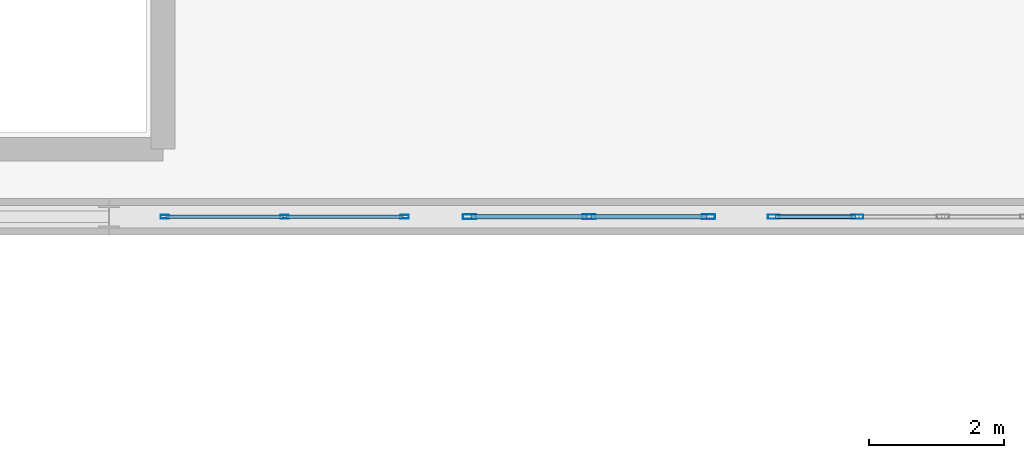
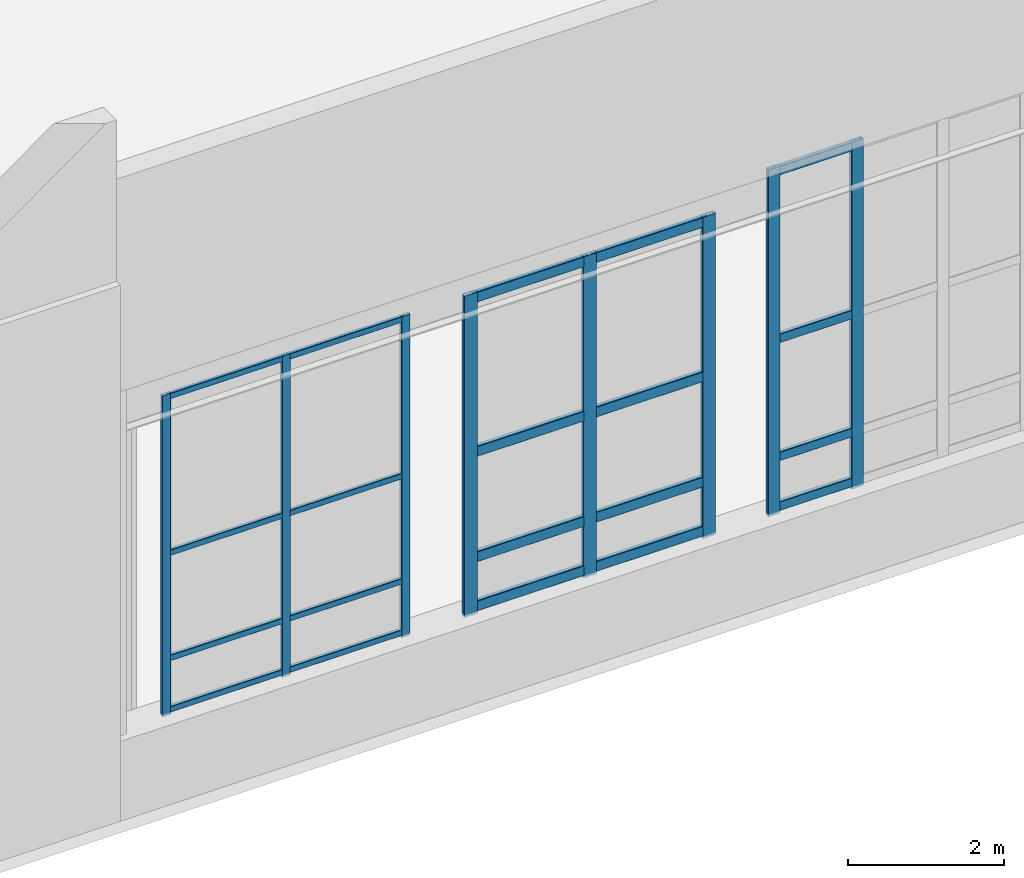
# One storey, part 18 of 97: 28 members, 3 elements without a shape of their own.
"""IFC4 building model written with IfcOpenShell, lengths in metres."""

from ifc_helpers import new_model, si_unit, derived_unit, direction, frame, origin, origin_2d, place, context, subcontext, project, spatial, hollow_rectangle, extrude, material, layer, layer_set, material_profile, profile_set, type_object, element, aggregate, save


model = new_model("IFC4")

# Units and contexts
model_context = context("Model", 3, precision=1e-05, world=origin(), true_north=direction((0.0, 1.0)))
body_context = subcontext(model_context, "Body", "Model", "MODEL_VIEW")
ifc_project = project(units=[si_unit("LENGTHUNIT", "METRE"), si_unit("AREAUNIT", "SQUARE_METRE"), si_unit("VOLUMEUNIT", "CUBIC_METRE"), si_unit("PLANEANGLEUNIT", "RADIAN"), si_unit("MASSUNIT", "GRAM", prefix="KILO"), derived_unit("THERMALTRANSMITTANCEUNIT", [(si_unit("POWERUNIT", "WATT"), 1), (si_unit("LENGTHUNIT", "METRE"), -2), (si_unit("THERMODYNAMICTEMPERATUREUNIT", "KELVIN"), -1)])], contexts=[model_context])

# Site, building, storey
site_placement = place(None, origin())
site = spatial("IfcSite", under=ifc_project, at=site_placement, CompositionType="ELEMENT")
building_placement = place(site_placement, origin())
building = spatial("IfcBuilding", under=site, at=building_placement, Name="Almenara Railside Exhibition Hall", CompositionType="ELEMENT")
storey_placement = place(building_placement, frame((0.0, 0.0, 10.800048828125)))
storey = spatial("IfcBuildingStorey", under=building, at=storey_placement, Name="L02", CompositionType="ELEMENT", Elevation=10.800048828125)

# Curtain wall, members
ifc_material_1 = material(Name="Bronze-anodised aluminium and low-E double glazing", Category="aluminium")
ifc_layer_1 = layer(ifc_material_1, 0.179931640625, Name="Bronze-anodised aluminium and low-E double glazing")
ifc_layer_set_1 = layer_set([ifc_layer_1], Name="Bronze-anodised aluminium and low-E double glazing")
curtain_wall_type_1 = type_object("IfcCurtainWallType", Name="Scroll Gable Standard Curtain Wall 3600x5000", PredefinedType="NOTDEFINED", material=ifc_layer_set_1)
curtain_wall_1_placement = place(storey_placement, origin())
curtain_wall_1 = element("IfcCurtainWall", 1, at=curtain_wall_1_placement, inside=storey, type_object=curtain_wall_type_1, Name="Curtain wall CW-G2-031", PredefinedType="NOTDEFINED")
ifc_material_2 = material(Name="Bronze-anodised aluminium", Category="aluminium")
ifc_material_profile_1 = material_profile(ifc_material_2, hollow_rectangle(XDim=0.054931640625, YDim=0.125, WallThickness=0.0029296875, InnerFilletRadius=0.0029296875, OuterFilletRadius=0.006103515625, at=origin_2d()), Name="ALU-MUL 55x125x3")
ifc_profile_set_1 = profile_set([ifc_material_profile_1], Name="Bronze-anodised aluminium")
member_type_1 = type_object("IfcMemberType", Name="Curtain Wall Mullion 55x125x3", PredefinedType="MULLION", material=ifc_profile_set_1)
member_1_placement = place(storey_placement, frame((23.2275390625, 48.0, 1.21484375), z_axis=(0.0, 0.0, 1.0), x_axis=(0.0, 1.0, 0.0)))
member_1 = element("IfcMember", 2, at=member_1_placement, type_object=member_type_1, Name="CW-G2-031 mullion 1", PredefinedType="MULLION", context=body_context, shape_type="SweptSolid", body=[
    extrude(hollow_rectangle(XDim=0.054931640625, YDim=0.125, WallThickness=0.0029296875, InnerFilletRadius=0.0029296875, OuterFilletRadius=0.006103515625, at=origin_2d()), origin(), (0.0, 0.0, 1.0), 5.03515625),
])
member_2_placement = place(storey_placement, frame((25.0, 48.0, 1.21484375), z_axis=(0.0, 0.0, 1.0), x_axis=(0.0, 1.0, 0.0)))
member_2 = element("IfcMember", 3, at=member_2_placement, type_object=member_type_1, Name="CW-G2-031 mullion 2", PredefinedType="MULLION", context=body_context, shape_type="SweptSolid", body=[
    extrude(hollow_rectangle(XDim=0.054931640625, YDim=0.125, WallThickness=0.0029296875, InnerFilletRadius=0.0029296875, OuterFilletRadius=0.006103515625, at=origin_2d()), origin(), (0.0, 0.0, 1.0), 5.03515625),
])
member_3_placement = place(storey_placement, frame((26.7724609375, 48.0, 1.21484375), z_axis=(0.0, 0.0, 1.0), x_axis=(0.0, 1.0, 0.0)))
member_3 = element("IfcMember", 4, at=member_3_placement, type_object=member_type_1, Name="CW-G2-031 mullion 3", PredefinedType="MULLION", context=body_context, shape_type="SweptSolid", body=[
    extrude(hollow_rectangle(XDim=0.054931640625, YDim=0.125, WallThickness=0.0029296875, InnerFilletRadius=0.0029296875, OuterFilletRadius=0.006103515625, at=origin_2d()), origin(), (0.0, 0.0, 1.0), 5.03515625),
])

ifc_layer_2 = layer(ifc_material_1, 0.179931640625, Name="Bronze-anodised aluminium and low-E double glazing")
ifc_layer_set_2 = layer_set([ifc_layer_2], Name="Bronze-anodised aluminium and low-E double glazing")
curtain_wall_type_2 = type_object("IfcCurtainWallType", Name="Scroll Gable Tall Curtain Wall 3800x5400", PredefinedType="NOTDEFINED", material=ifc_layer_set_2)
curtain_wall_2_placement = place(storey_placement, origin())
curtain_wall_2 = element("IfcCurtainWall", 5, at=curtain_wall_2_placement, inside=storey, type_object=curtain_wall_type_2, Name="Curtain wall CW-G1-033", PredefinedType="NOTDEFINED")
ifc_material_profile_2 = material_profile(ifc_material_2, hollow_rectangle(XDim=0.06494140625, YDim=0.179931640625, WallThickness=0.00390625, InnerFilletRadius=0.00390625, OuterFilletRadius=0.008056640625, at=origin_2d()), Name="ALU-MUL 65x180x4")
ifc_profile_set_2 = profile_set([ifc_material_profile_2], Name="Bronze-anodised aluminium")
member_type_2 = type_object("IfcMemberType", Name="Curtain Wall Mullion 65x180x4", PredefinedType="MULLION", material=ifc_profile_set_2)
member_4_placement = place(storey_placement, frame((32.232421875, 48.0, 1.21484375), z_axis=(0.0, 0.0, 1.0), x_axis=(0.0, 1.0, 0.0)))
member_4 = element("IfcMember", 6, at=member_4_placement, type_object=member_type_2, Name="CW-G1-033 mullion 1", PredefinedType="MULLION", context=body_context, shape_type="SweptSolid", body=[
    extrude(hollow_rectangle(XDim=0.06494140625, YDim=0.179931640625, WallThickness=0.00390625, InnerFilletRadius=0.00390625, OuterFilletRadius=0.008056640625, at=origin_2d()), origin(), (0.0, 0.0, 1.0), 5.43505859375),
])
member_5_placement = place(storey_placement, frame((33.466552734375, 48.0, 1.21484375), z_axis=(0.0, 0.0, 1.0), x_axis=(0.0, 1.0, 0.0)))
member_5 = element("IfcMember", 7, at=member_5_placement, type_object=member_type_2, Name="CW-G1-033 mullion 2", PredefinedType="MULLION", context=body_context, shape_type="SweptSolid", body=[
    extrude(hollow_rectangle(XDim=0.06494140625, YDim=0.179931640625, WallThickness=0.00390625, InnerFilletRadius=0.00390625, OuterFilletRadius=0.008056640625, at=origin_2d()), origin(), (0.0, 0.0, 1.0), 5.43505859375),
])

curtain_wall_3_placement = place(storey_placement, origin())
curtain_wall_3 = element("IfcCurtainWall", 8, at=curtain_wall_3_placement, inside=storey, type_object=curtain_wall_type_1, Name="Curtain wall CW-G2-032", PredefinedType="NOTDEFINED")
ifc_material_profile_3 = material_profile(ifc_material_2, hollow_rectangle(XDim=0.070068359375, YDim=0.199951171875, WallThickness=0.00439453125, InnerFilletRadius=0.00439453125, OuterFilletRadius=0.009033203125, at=origin_2d()), Name="ALU-MUL 70x200x4.5")
ifc_profile_set_3 = profile_set([ifc_material_profile_3], Name="Bronze-anodised aluminium")
member_type_3 = type_object("IfcMemberType", Name="Curtain Wall Mullion 70x200x4.5", PredefinedType="MULLION", material=ifc_profile_set_3)
member_6_placement = place(storey_placement, frame((27.735107421875, 48.0, 1.21484375), z_axis=(0.0, 0.0, 1.0), x_axis=(0.0, 1.0, 0.0)))
member_6 = element("IfcMember", 9, at=member_6_placement, type_object=member_type_3, Name="CW-G2-032 mullion 1", PredefinedType="MULLION", context=body_context, shape_type="SweptSolid", body=[
    extrude(hollow_rectangle(XDim=0.070068359375, YDim=0.199951171875, WallThickness=0.00439453125, InnerFilletRadius=0.00439453125, OuterFilletRadius=0.009033203125, at=origin_2d()), origin(), (0.0, 0.0, 1.0), 5.03515625),
])
member_7_placement = place(storey_placement, frame((29.5, 48.0, 1.21484375), z_axis=(0.0, 0.0, 1.0), x_axis=(0.0, 1.0, 0.0)))
member_7 = element("IfcMember", 10, at=member_7_placement, type_object=member_type_3, Name="CW-G2-032 mullion 2", PredefinedType="MULLION", context=body_context, shape_type="SweptSolid", body=[
    extrude(hollow_rectangle(XDim=0.070068359375, YDim=0.199951171875, WallThickness=0.00439453125, InnerFilletRadius=0.00439453125, OuterFilletRadius=0.009033203125, at=origin_2d()), origin(), (0.0, 0.0, 1.0), 5.03515625),
])
member_8_placement = place(storey_placement, frame((31.264892578125, 48.0, 1.21484375), z_axis=(0.0, 0.0, 1.0), x_axis=(0.0, 1.0, 0.0)))
member_8 = element("IfcMember", 11, at=member_8_placement, type_object=member_type_3, Name="CW-G2-032 mullion 3", PredefinedType="MULLION", context=body_context, shape_type="SweptSolid", body=[
    extrude(hollow_rectangle(XDim=0.070068359375, YDim=0.199951171875, WallThickness=0.00439453125, InnerFilletRadius=0.00439453125, OuterFilletRadius=0.009033203125, at=origin_2d()), origin(), (0.0, 0.0, 1.0), 5.03515625),
])

# Member
ifc_material_profile_4 = material_profile(ifc_material_2, hollow_rectangle(XDim=0.054931640625, YDim=0.090087890625, WallThickness=0.0029296875, InnerFilletRadius=0.0029296875, OuterFilletRadius=0.006103515625, at=origin_2d()), Name="ALU-TRN 55x90x3")
ifc_profile_set_4 = profile_set([ifc_material_profile_4], Name="Bronze-anodised aluminium")
member_type_4 = type_object("IfcMemberType", Name="Curtain Wall Transom 55x90x3", PredefinedType="USERDEFINED", material=ifc_profile_set_4)
member_9_placement = place(storey_placement, frame((23.2470703125, 48.0, 1.294921875), z_axis=(1.0, 0.0, 0.0), x_axis=(0.0, 1.0, 0.0)))
member_9 = element("IfcMember", 12, at=member_9_placement, type_object=member_type_4, Name="CW-G2-031 transom 1.1", ObjectType="TRANSOM", PredefinedType="USERDEFINED", context=body_context, shape_type="SweptSolid", body=[
    extrude(hollow_rectangle(XDim=0.054931640625, YDim=0.090087890625, WallThickness=0.0029296875, InnerFilletRadius=0.0029296875, OuterFilletRadius=0.006103515625, at=origin_2d()), origin(), (0.0, 0.0, 1.0), 1.7333984375),
])

member_10_placement = place(storey_placement, frame((23.2470703125, 48.0, 2.099853515625), z_axis=(1.0, 0.0, 0.0), x_axis=(0.0, 1.0, 0.0)))
member_10 = element("IfcMember", 13, at=member_10_placement, type_object=member_type_4, Name="CW-G2-031 transom 1.2", ObjectType="TRANSOM", PredefinedType="USERDEFINED", context=body_context, shape_type="SweptSolid", body=[
    extrude(hollow_rectangle(XDim=0.054931640625, YDim=0.090087890625, WallThickness=0.0029296875, InnerFilletRadius=0.0029296875, OuterFilletRadius=0.006103515625, at=origin_2d()), origin(), (0.0, 0.0, 1.0), 1.7333984375),
])

member_11_placement = place(storey_placement, frame((23.2470703125, 48.0, 3.75), z_axis=(1.0, 0.0, 0.0), x_axis=(0.0, 1.0, 0.0)))
member_11 = element("IfcMember", 14, at=member_11_placement, type_object=member_type_4, Name="CW-G2-031 transom 1.3", ObjectType="TRANSOM", PredefinedType="USERDEFINED", context=body_context, shape_type="SweptSolid", body=[
    extrude(hollow_rectangle(XDim=0.054931640625, YDim=0.090087890625, WallThickness=0.0029296875, InnerFilletRadius=0.0029296875, OuterFilletRadius=0.006103515625, at=origin_2d()), origin(), (0.0, 0.0, 1.0), 1.7333984375),
])

member_12_placement = place(storey_placement, frame((23.2470703125, 48.0, 6.204833984375), z_axis=(1.0, 0.0, 0.0), x_axis=(0.0, 1.0, 0.0)))
member_12 = element("IfcMember", 15, at=member_12_placement, type_object=member_type_4, Name="CW-G2-031 transom 1.4", ObjectType="TRANSOM", PredefinedType="USERDEFINED", context=body_context, shape_type="SweptSolid", body=[
    extrude(hollow_rectangle(XDim=0.054931640625, YDim=0.090087890625, WallThickness=0.0029296875, InnerFilletRadius=0.0029296875, OuterFilletRadius=0.006103515625, at=origin_2d()), origin(), (0.0, 0.0, 1.0), 1.7333984375),
])

member_13_placement = place(storey_placement, frame((25.01953125, 48.0, 1.294921875), z_axis=(1.0, 0.0, 0.0), x_axis=(0.0, 1.0, 0.0)))
member_13 = element("IfcMember", 16, at=member_13_placement, type_object=member_type_4, Name="CW-G2-031 transom 2.1", ObjectType="TRANSOM", PredefinedType="USERDEFINED", context=body_context, shape_type="SweptSolid", body=[
    extrude(hollow_rectangle(XDim=0.054931640625, YDim=0.090087890625, WallThickness=0.0029296875, InnerFilletRadius=0.0029296875, OuterFilletRadius=0.006103515625, at=origin_2d()), origin(), (0.0, 0.0, 1.0), 1.7333984375),
])

member_14_placement = place(storey_placement, frame((25.01953125, 48.0, 2.099853515625), z_axis=(1.0, 0.0, 0.0), x_axis=(0.0, 1.0, 0.0)))
member_14 = element("IfcMember", 17, at=member_14_placement, type_object=member_type_4, Name="CW-G2-031 transom 2.2", ObjectType="TRANSOM", PredefinedType="USERDEFINED", context=body_context, shape_type="SweptSolid", body=[
    extrude(hollow_rectangle(XDim=0.054931640625, YDim=0.090087890625, WallThickness=0.0029296875, InnerFilletRadius=0.0029296875, OuterFilletRadius=0.006103515625, at=origin_2d()), origin(), (0.0, 0.0, 1.0), 1.7333984375),
])

member_15_placement = place(storey_placement, frame((25.01953125, 48.0, 3.75), z_axis=(1.0, 0.0, 0.0), x_axis=(0.0, 1.0, 0.0)))
member_15 = element("IfcMember", 18, at=member_15_placement, type_object=member_type_4, Name="CW-G2-031 transom 2.3", ObjectType="TRANSOM", PredefinedType="USERDEFINED", context=body_context, shape_type="SweptSolid", body=[
    extrude(hollow_rectangle(XDim=0.054931640625, YDim=0.090087890625, WallThickness=0.0029296875, InnerFilletRadius=0.0029296875, OuterFilletRadius=0.006103515625, at=origin_2d()), origin(), (0.0, 0.0, 1.0), 1.7333984375),
])

member_16_placement = place(storey_placement, frame((25.01953125, 48.0, 6.204833984375), z_axis=(1.0, 0.0, 0.0), x_axis=(0.0, 1.0, 0.0)))
member_16 = element("IfcMember", 19, at=member_16_placement, type_object=member_type_4, Name="CW-G2-031 transom 2.4", ObjectType="TRANSOM", PredefinedType="USERDEFINED", context=body_context, shape_type="SweptSolid", body=[
    extrude(hollow_rectangle(XDim=0.054931640625, YDim=0.090087890625, WallThickness=0.0029296875, InnerFilletRadius=0.0029296875, OuterFilletRadius=0.006103515625, at=origin_2d()), origin(), (0.0, 0.0, 1.0), 1.7333984375),
])

aggregate(curtain_wall_1, [member_1, member_2, member_3, member_9, member_10, member_11, member_12, member_13, member_14, member_15, member_16])

ifc_material_profile_5 = material_profile(ifc_material_2, hollow_rectangle(XDim=0.06494140625, YDim=0.139892578125, WallThickness=0.00341796875, InnerFilletRadius=0.00341796875, OuterFilletRadius=0.007080078125, at=origin_2d()), Name="ALU-TRN 65x140x3.5")
ifc_profile_set_5 = profile_set([ifc_material_profile_5], Name="Bronze-anodised aluminium")
member_type_5 = type_object("IfcMemberType", Name="Curtain Wall Transom 65x140x3.5", PredefinedType="USERDEFINED", material=ifc_profile_set_5)
member_17_placement = place(storey_placement, frame((32.257080078125, 48.0, 1.320068359375), z_axis=(1.0, 0.0, 0.0), x_axis=(0.0, 1.0, 0.0)))
member_17 = element("IfcMember", 20, at=member_17_placement, type_object=member_type_5, Name="CW-G1-033 transom 1.1", ObjectType="TRANSOM", PredefinedType="USERDEFINED", context=body_context, shape_type="SweptSolid", body=[
    extrude(hollow_rectangle(XDim=0.06494140625, YDim=0.139892578125, WallThickness=0.00341796875, InnerFilletRadius=0.00341796875, OuterFilletRadius=0.007080078125, at=origin_2d()), origin(), (0.0, 0.0, 1.0), 1.18505859375),
])

member_18_placement = place(storey_placement, frame((32.257080078125, 48.0, 2.099853515625), z_axis=(1.0, 0.0, 0.0), x_axis=(0.0, 1.0, 0.0)))
member_18 = element("IfcMember", 21, at=member_18_placement, type_object=member_type_5, Name="CW-G1-033 transom 1.2", ObjectType="TRANSOM", PredefinedType="USERDEFINED", context=body_context, shape_type="SweptSolid", body=[
    extrude(hollow_rectangle(XDim=0.06494140625, YDim=0.139892578125, WallThickness=0.00341796875, InnerFilletRadius=0.00341796875, OuterFilletRadius=0.007080078125, at=origin_2d()), origin(), (0.0, 0.0, 1.0), 1.18505859375),
])

member_19_placement = place(storey_placement, frame((32.257080078125, 48.0, 3.949951171875), z_axis=(1.0, 0.0, 0.0), x_axis=(0.0, 1.0, 0.0)))
member_19 = element("IfcMember", 22, at=member_19_placement, type_object=member_type_5, Name="CW-G1-033 transom 1.3", ObjectType="TRANSOM", PredefinedType="USERDEFINED", context=body_context, shape_type="SweptSolid", body=[
    extrude(hollow_rectangle(XDim=0.06494140625, YDim=0.139892578125, WallThickness=0.00341796875, InnerFilletRadius=0.00341796875, OuterFilletRadius=0.007080078125, at=origin_2d()), origin(), (0.0, 0.0, 1.0), 1.18505859375),
])

member_20_placement = place(storey_placement, frame((32.257080078125, 48.0, 6.579833984375), z_axis=(1.0, 0.0, 0.0), x_axis=(0.0, 1.0, 0.0)))
member_20 = element("IfcMember", 23, at=member_20_placement, type_object=member_type_5, Name="CW-G1-033 transom 1.4", ObjectType="TRANSOM", PredefinedType="USERDEFINED", context=body_context, shape_type="SweptSolid", body=[
    extrude(hollow_rectangle(XDim=0.06494140625, YDim=0.139892578125, WallThickness=0.00341796875, InnerFilletRadius=0.00341796875, OuterFilletRadius=0.007080078125, at=origin_2d()), origin(), (0.0, 0.0, 1.0), 1.18505859375),
])

aggregate(curtain_wall_2, [member_4, member_5, member_17, member_18, member_19, member_20])

ifc_material_profile_6 = material_profile(ifc_material_2, hollow_rectangle(XDim=0.070068359375, YDim=0.159912109375, WallThickness=0.00390625, InnerFilletRadius=0.00390625, OuterFilletRadius=0.008056640625, at=origin_2d()), Name="ALU-TRN 70x160x4")
ifc_profile_set_6 = profile_set([ifc_material_profile_6], Name="Bronze-anodised aluminium")
member_type_6 = type_object("IfcMemberType", Name="Curtain Wall Transom 70x160x4", PredefinedType="USERDEFINED", material=ifc_profile_set_6)
member_21_placement = place(storey_placement, frame((27.761962890625, 48.0, 1.329833984375), z_axis=(1.0, 0.0, 0.0), x_axis=(0.0, 1.0, 0.0)))
member_21 = element("IfcMember", 24, at=member_21_placement, type_object=member_type_6, Name="CW-G2-032 transom 1.1", ObjectType="TRANSOM", PredefinedType="USERDEFINED", context=body_context, shape_type="SweptSolid", body=[
    extrude(hollow_rectangle(XDim=0.070068359375, YDim=0.159912109375, WallThickness=0.00390625, InnerFilletRadius=0.00390625, OuterFilletRadius=0.008056640625, at=origin_2d()), origin(), (0.0, 0.0, 1.0), 1.7109375),
])

member_22_placement = place(storey_placement, frame((27.761962890625, 48.0, 2.099853515625), z_axis=(1.0, 0.0, 0.0), x_axis=(0.0, 1.0, 0.0)))
member_22 = element("IfcMember", 25, at=member_22_placement, type_object=member_type_6, Name="CW-G2-032 transom 1.2", ObjectType="TRANSOM", PredefinedType="USERDEFINED", context=body_context, shape_type="SweptSolid", body=[
    extrude(hollow_rectangle(XDim=0.070068359375, YDim=0.159912109375, WallThickness=0.00390625, InnerFilletRadius=0.00390625, OuterFilletRadius=0.008056640625, at=origin_2d()), origin(), (0.0, 0.0, 1.0), 1.7109375),
])

member_23_placement = place(storey_placement, frame((27.761962890625, 48.0, 3.75), z_axis=(1.0, 0.0, 0.0), x_axis=(0.0, 1.0, 0.0)))
member_23 = element("IfcMember", 26, at=member_23_placement, type_object=member_type_6, Name="CW-G2-032 transom 1.3", ObjectType="TRANSOM", PredefinedType="USERDEFINED", context=body_context, shape_type="SweptSolid", body=[
    extrude(hollow_rectangle(XDim=0.070068359375, YDim=0.159912109375, WallThickness=0.00390625, InnerFilletRadius=0.00390625, OuterFilletRadius=0.008056640625, at=origin_2d()), origin(), (0.0, 0.0, 1.0), 1.7109375),
])

member_24_placement = place(storey_placement, frame((27.761962890625, 48.0, 6.169921875), z_axis=(1.0, 0.0, 0.0), x_axis=(0.0, 1.0, 0.0)))
member_24 = element("IfcMember", 27, at=member_24_placement, type_object=member_type_6, Name="CW-G2-032 transom 1.4", ObjectType="TRANSOM", PredefinedType="USERDEFINED", context=body_context, shape_type="SweptSolid", body=[
    extrude(hollow_rectangle(XDim=0.070068359375, YDim=0.159912109375, WallThickness=0.00390625, InnerFilletRadius=0.00390625, OuterFilletRadius=0.008056640625, at=origin_2d()), origin(), (0.0, 0.0, 1.0), 1.7109375),
])

member_25_placement = place(storey_placement, frame((29.527099609375, 48.0, 1.329833984375), z_axis=(1.0, 0.0, 0.0), x_axis=(0.0, 1.0, 0.0)))
member_25 = element("IfcMember", 28, at=member_25_placement, type_object=member_type_6, Name="CW-G2-032 transom 2.1", ObjectType="TRANSOM", PredefinedType="USERDEFINED", context=body_context, shape_type="SweptSolid", body=[
    extrude(hollow_rectangle(XDim=0.070068359375, YDim=0.159912109375, WallThickness=0.00390625, InnerFilletRadius=0.00390625, OuterFilletRadius=0.008056640625, at=origin_2d()), origin(), (0.0, 0.0, 1.0), 1.7109375),
])

member_26_placement = place(storey_placement, frame((29.527099609375, 48.0, 2.099853515625), z_axis=(1.0, 0.0, 0.0), x_axis=(0.0, 1.0, 0.0)))
member_26 = element("IfcMember", 29, at=member_26_placement, type_object=member_type_6, Name="CW-G2-032 transom 2.2", ObjectType="TRANSOM", PredefinedType="USERDEFINED", context=body_context, shape_type="SweptSolid", body=[
    extrude(hollow_rectangle(XDim=0.070068359375, YDim=0.159912109375, WallThickness=0.00390625, InnerFilletRadius=0.00390625, OuterFilletRadius=0.008056640625, at=origin_2d()), origin(), (0.0, 0.0, 1.0), 1.7109375),
])

member_27_placement = place(storey_placement, frame((29.527099609375, 48.0, 3.75), z_axis=(1.0, 0.0, 0.0), x_axis=(0.0, 1.0, 0.0)))
member_27 = element("IfcMember", 30, at=member_27_placement, type_object=member_type_6, Name="CW-G2-032 transom 2.3", ObjectType="TRANSOM", PredefinedType="USERDEFINED", context=body_context, shape_type="SweptSolid", body=[
    extrude(hollow_rectangle(XDim=0.070068359375, YDim=0.159912109375, WallThickness=0.00390625, InnerFilletRadius=0.00390625, OuterFilletRadius=0.008056640625, at=origin_2d()), origin(), (0.0, 0.0, 1.0), 1.7109375),
])

member_28_placement = place(storey_placement, frame((29.527099609375, 48.0, 6.169921875), z_axis=(1.0, 0.0, 0.0), x_axis=(0.0, 1.0, 0.0)))
member_28 = element("IfcMember", 31, at=member_28_placement, type_object=member_type_6, Name="CW-G2-032 transom 2.4", ObjectType="TRANSOM", PredefinedType="USERDEFINED", context=body_context, shape_type="SweptSolid", body=[
    extrude(hollow_rectangle(XDim=0.070068359375, YDim=0.159912109375, WallThickness=0.00390625, InnerFilletRadius=0.00390625, OuterFilletRadius=0.008056640625, at=origin_2d()), origin(), (0.0, 0.0, 1.0), 1.7109375),
])

aggregate(curtain_wall_3, [member_6, member_7, member_8, member_21, member_22, member_23, member_24, member_25, member_26, member_27, member_28])

save(model, "model.ifc")
